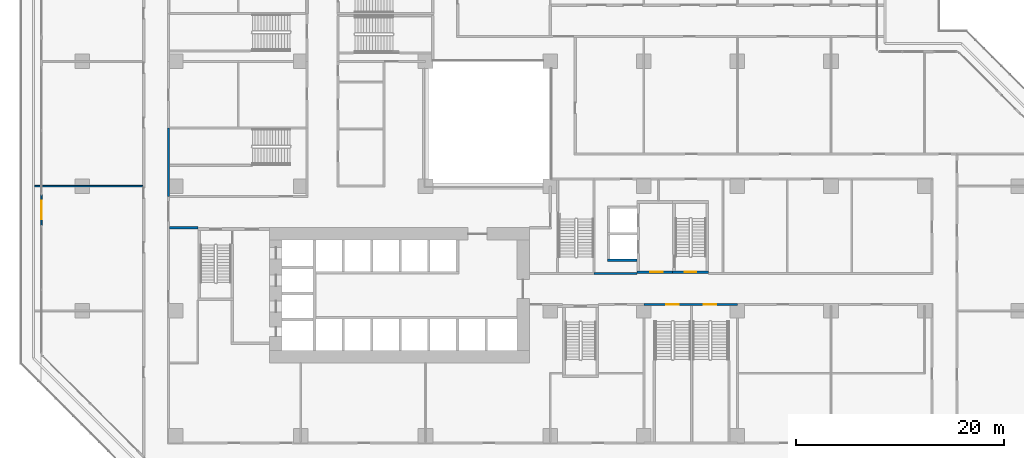
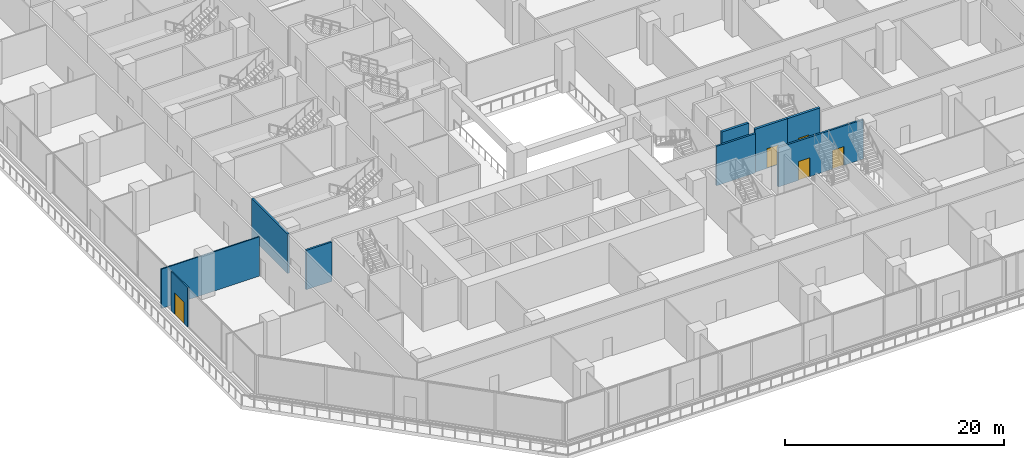
# One storey, part 16 of 31: 9 walls, 5 doors, 5 openings.
"""IFC4 building model written with IfcOpenShell, lengths in metres."""

import ifcopenshell
import ifcopenshell.guid

model = None  # the IFC model being written
_history = None  # IfcOwnerHistory: only IFC2X3 demands one
_inside = {}  # id of a spatial element -> (the spatial element, [elements in it])
_under = {}  # id of a project, library or spatial element -> (it, [spatial elements below it])
_declared = {}  # id of a project -> (the project, [libraries it declares])
_typed = {}  # id of a type object -> (the type object, [elements of that type])
_made_of = {}  # id of a material, layer set ... -> (it, [elements and type objects made of it])


def new_model(schema):
    """Start an empty IFC model of exactly this schema.

    Asked for "IFC4X3", IfcOpenShell would pick the latest addendum, in which some entities
    have other attributes; the version numbers below select the first issue.
    IFC2X3 requires an IfcOwnerHistory on every rooted entity: one is made here for all.
    """
    global model, _history
    if schema == "IFC4X3":
        model = ifcopenshell.file(schema_version=(4, 3, 0, 0))
    else:
        model = ifcopenshell.file(schema=schema)
    _inside.clear()
    _under.clear()
    _declared.clear()
    _typed.clear()
    _made_of.clear()
    _history = None
    if model.schema == "IFC2X3":
        org = make("IfcOrganization", Name="unknown")
        user = make(
            "IfcPersonAndOrganization",
            ThePerson=make("IfcPerson", FamilyName="unknown"),
            TheOrganization=org,
        )
        app = make(
            "IfcApplication",
            ApplicationDeveloper=org,
            Version="unknown",
            ApplicationFullName="unknown",
            ApplicationIdentifier="unknown",
        )
        _history = make(
            "IfcOwnerHistory",
            OwningUser=user,
            OwningApplication=app,
            ChangeAction="ADDED",
            CreationDate=0,
        )
    return model


def make(cls, **values):
    """One entity of the class cls with the attributes given. An attribute that is None is left unset."""
    return model.create_entity(
        cls, **{name: value for name, value in values.items() if value is not None}
    )


def rooted(cls, **values):
    """An entity with a GlobalId (a new one), such as an element, a storey or a relation."""
    return make(cls, GlobalId=ifcopenshell.guid.new(), OwnerHistory=_history, **values)


def si_unit(unit_type, name, prefix=None):
    """IfcSIUnit, for example si_unit("LENGTHUNIT", "METRE", prefix="MILLI")."""
    return make("IfcSIUnit", UnitType=unit_type, Prefix=prefix, Name=name)


def assignment(units):
    """IfcUnitAssignment: the units of a project."""
    return None if units is None else make("IfcUnitAssignment", Units=units)


def point(xyz):
    """IfcCartesianPoint."""
    return None if xyz is None else make("IfcCartesianPoint", Coordinates=xyz)


def direction(xyz):
    """IfcDirection."""
    return None if xyz is None else make("IfcDirection", DirectionRatios=xyz)


def frame(location, z_axis=None, x_axis=None):
    """IfcAxis2Placement3D, a coordinate frame: its origin and axes. An axis left out is left unset."""
    return make(
        "IfcAxis2Placement3D",
        Location=point(location),
        Axis=direction(z_axis),
        RefDirection=direction(x_axis),
    )


def frame_2d(location, x_axis=None):
    """IfcAxis2Placement2D, a coordinate frame in the plane: its origin and x axis."""
    return make(
        "IfcAxis2Placement2D", Location=point(location), RefDirection=direction(x_axis)
    )


def origin():
    """The frame at (0, 0, 0) with its axes left unset."""
    return frame((0.0, 0.0, 0.0))


def place(relative_to, where):
    """IfcLocalPlacement: puts the frame where relative to a parent placement (None: the world)."""
    return make(
        "IfcLocalPlacement", PlacementRelTo=relative_to, RelativePlacement=where
    )


def context(
    kind, dimensions, precision=None, world=None, true_north=None, identifier=None
):
    """IfcGeometricRepresentationContext, for example the 3D "Model" context."""
    return make(
        "IfcGeometricRepresentationContext",
        ContextIdentifier=identifier,
        ContextType=kind,
        CoordinateSpaceDimension=dimensions,
        Precision=precision,
        WorldCoordinateSystem=world,
        TrueNorth=true_north,
    )


def subcontext(parent, identifier, kind, view, scale=None):
    """IfcGeometricRepresentationSubContext, for example "Body" below "Model"."""
    return make(
        "IfcGeometricRepresentationSubContext",
        ContextIdentifier=identifier,
        ContextType=kind,
        ParentContext=parent,
        TargetScale=scale,
        TargetView=view,
    )


def project(units=None, contexts=None):
    """IfcProject with its units and contexts."""
    return rooted(
        "IfcProject",
        Name="project",
        RepresentationContexts=contexts,
        UnitsInContext=assignment(units),
    )


def spatial(cls, under=None, at=None, **own):
    """A site, building, storey or space (cls), placed at a placement, below another one or the project."""
    s = rooted(cls, ObjectPlacement=at, **own)
    if under is not None:
        _under.setdefault(under.id(), (under, []))[1].append(s)
    return s


def profile(cls, at=None, kind="AREA", **sizes):
    """A parametric profile (cls). Its sizes go by their IFC names, for example OverallWidth=200.0."""
    return make(cls, ProfileType=kind, Position=at, **sizes)


def rectangle(**sizes):
    """IfcRectangleProfileDef."""
    return profile("IfcRectangleProfileDef", **sizes)


def extrude(swept, where, along, depth):
    """IfcExtrudedAreaSolid: the profile swept, set in the frame where, extruded along a direction by depth."""
    return make(
        "IfcExtrudedAreaSolid",
        SweptArea=swept,
        Position=where,
        ExtrudedDirection=direction(along),
        Depth=depth,
    )


def shape(context_of_items, identifier, shape_type, items):
    """IfcShapeRepresentation: the items that make up one representation, for example the "Body"."""
    return make(
        "IfcShapeRepresentation",
        ContextOfItems=context_of_items,
        RepresentationIdentifier=identifier,
        RepresentationType=shape_type,
        Items=items,
    )


def material(Name=None, Category=None):
    """IfcMaterial."""
    return make("IfcMaterial", Name=Name, Category=Category)


def layer(
    of_material, thickness, ventilated=None, Name=None, Category=None, Priority=None
):
    """IfcMaterialLayer: one layer of a wall or slab, of a material (None: an air gap)."""
    return make(
        "IfcMaterialLayer",
        Material=of_material,
        LayerThickness=thickness,
        IsVentilated=ventilated,
        Name=Name,
        Category=Category,
        Priority=Priority,
    )


def layer_set(layers, Name=None):
    """IfcMaterialLayerSet."""
    return make("IfcMaterialLayerSet", MaterialLayers=layers, LayerSetName=Name)


def made_of(thing, what):
    """Note that an element or type object is made of a material, layer set ...; save() writes the relation."""
    if what is not None:
        _made_of.setdefault(what.id(), (what, []))[1].append(thing)
    return thing


def type_object(cls, material=None, **own):
    """A type object (cls), such as IfcWallType, which elements share."""
    return made_of(rooted(cls, **own), material)


def element(
    cls,
    number,
    at=None,
    inside=None,
    cuts=None,
    type_object=None,
    material=None,
    context=None,
    identifier="Body",
    shape_type=None,
    held_by="IfcProductDefinitionShape",
    body=None,
    shapes=None,
    **own,
):
    """One element of the class cls, such as IfcWall. Its Tag is "e" and its number.

    at: its placement. inside: the storey or other place that contains it. cuts: it is an
    opening in that element (IfcRelVoidsElement). A single representation is given by context,
    identifier, shape_type and body (its items); several are given by shapes. held_by: the class
    of the entity that holds the representations. save() writes the other relations.
    """
    e = rooted(cls, Tag="e%d" % number, ObjectPlacement=at, **own)
    if body is not None:
        shapes = [shape(context, identifier, shape_type, body)]
    if shapes is not None:
        e.Representation = make(held_by, Representations=shapes)
    if inside is not None:
        _inside.setdefault(inside.id(), (inside, []))[1].append(e)
    if cuts is not None:
        rooted(
            "IfcRelVoidsElement", RelatingBuildingElement=cuts, RelatedOpeningElement=e
        )
    if type_object is not None:
        _typed.setdefault(type_object.id(), (type_object, []))[1].append(e)
    return made_of(e, material)


def fill(opening, filler):
    """IfcRelFillsElement: the door or window that sits in an opening."""
    return rooted(
        "IfcRelFillsElement",
        RelatingOpeningElement=opening,
        RelatedBuildingElement=filler,
    )


def aggregate(whole, parts):
    """IfcRelAggregates: a whole, such as a stair, and the parts it consists of."""
    return rooted("IfcRelAggregates", RelatingObject=whole, RelatedObjects=parts)


def save(model, path):
    """Write the relations noted so far, then the file.

    IfcRelAggregates (storeys below a building ...), IfcRelContainedInSpatialStructure (elements
    in a storey), IfcRelDefinesByType, IfcRelAssociatesMaterial and IfcRelDeclares: one each for
    every whole, place, type object, material and project.
    """
    for whole, parts in _under.values():
        aggregate(whole, parts)
    for where, things in _inside.values():
        rooted(
            "IfcRelContainedInSpatialStructure",
            RelatedElements=things,
            RelatingStructure=where,
        )
    for kind, things in _typed.values():
        rooted("IfcRelDefinesByType", RelatedObjects=things, RelatingType=kind)
    for what, things in _made_of.values():
        rooted("IfcRelAssociatesMaterial", RelatedObjects=things, RelatingMaterial=what)
    for by, libraries in _declared.values():
        rooted("IfcRelDeclares", RelatingContext=by, RelatedDefinitions=libraries)
    model.write(path)


model = new_model("IFC4")

# Units and contexts
model_context = context("Model", 3, precision=1e-05, world=origin(), true_north=direction((0.0, 1.0)))
body_context = subcontext(model_context, "Body", "Model", "MODEL_VIEW")
ifc_project = project(units=[si_unit("LENGTHUNIT", "METRE"), si_unit("AREAUNIT", "SQUARE_METRE"), si_unit("VOLUMEUNIT", "CUBIC_METRE"), si_unit("PLANEANGLEUNIT", "RADIAN"), si_unit("MASSUNIT", "GRAM", prefix="KILO")], contexts=[model_context])

# Site, building, storey
site_placement = place(None, origin())
site = spatial("IfcSite", under=ifc_project, at=site_placement, CompositionType="ELEMENT")
building_placement = place(site_placement, origin())
building = spatial("IfcBuilding", under=site, at=building_placement, Name="Chenar Terraces", CompositionType="ELEMENT")
storey_placement = place(building_placement, frame((0.0, 0.0, 7.199951171875)))
storey = spatial("IfcBuildingStorey", under=building, at=storey_placement, Name="L01", CompositionType="ELEMENT", Elevation=7.199951171875)

# Wall
ifc_material_1 = material(Name="Gypsum board on steel studs with mineral wool", Category="steel")
ifc_layer_1 = layer(ifc_material_1, 0.125)
ifc_layer_set_1 = layer_set([ifc_layer_1], Name="Gypsum board on steel studs with mineral wool")
wall_type_1 = type_object("IfcWallType", Name="Acoustic partition 125", PredefinedType="PARTITIONING", material=ifc_layer_set_1)
wall_1_placement = place(storey_placement, frame((-13.60009765625, 24.0, 0.0), z_axis=(0.0, 0.0, 1.0), x_axis=(1.0, 0.0, 0.0)))
element("IfcWall", 1, at=wall_1_placement, inside=storey, type_object=wall_type_1, Name="Partition L01-002", PredefinedType="PARTITIONING", context=body_context, shape_type="SweptSolid", body=[
    extrude(rectangle(XDim=10.400146484375, YDim=0.125, at=frame_2d((5.2001953125, 0.0))), origin(), (0.0, 0.0, 1.0), 4.400146484375),
])

# Wall, opening, door
ifc_material_2 = material(Name="Concrete C70/85", Category="concrete")
ifc_layer_2 = layer(ifc_material_2, 0.25)
ifc_layer_set_2 = layer_set([ifc_layer_2], Name="Concrete C70/85")
wall_type_2 = type_object("IfcWallType", Name="Core wall 250 Concrete C70/85", PredefinedType="SHEAR", material=ifc_layer_set_2)
wall_2_placement = place(storey_placement, frame((47.77490234375, 15.72509765625, 0.0), z_axis=(0.0, 0.0, 1.0), x_axis=(1.0, 0.0, 0.0)))
wall_2 = element("IfcWall", 2, at=wall_2_placement, inside=storey, type_object=wall_type_2, Name="Core wall ST3_S L01", PredefinedType="SHEAR", context=body_context, shape_type="SweptSolid", body=[
    extrude(rectangle(XDim=3.4501953125, YDim=0.25, at=frame_2d((1.72509765625, 0.0))), origin(), (0.0, 0.0, 1.0), 4.800048828125),
])
opening_1_placement = place(wall_2_placement, frame((1.175048828125, 0.0, 0.0)))
opening_1 = element("IfcOpeningElement", 3, at=opening_1_placement, cuts=wall_2, Name="Opening DL01-C8", PredefinedType="OPENING", context=body_context, shape_type="SweptSolid", body=[
    extrude(rectangle(XDim=1.10009765625, YDim=2.199951171875, at=frame_2d((0.550048828125, 1.10009765625))), frame((0.0, 0.135009765625, 0.0), z_axis=(0.0, -1.0, 0.0), x_axis=(1.0, 0.0, 0.0)), (0.0, 0.0, 1.0), 0.27001953125),
])
ifc_material_3 = material(Name="Steel-framed fire-resisting door leaf", Category="steel")
door_type_1 = type_object("IfcDoorType", Name="Stair fire door FD60 1100 x 2200", OperationType="SINGLE_SWING_LEFT", PredefinedType="DOOR", material=ifc_material_3)
door_1_placement = place(opening_1_placement, frame((1.10009765625, 0.0, 0.0), z_axis=(0.0, 0.0, 1.0), x_axis=(-1.0, 0.0, 0.0)))
door_1 = element("IfcDoor", 4, at=door_1_placement, inside=storey, type_object=door_type_1, Name="Stair door DL01-C8", OperationType="SINGLE_SWING_LEFT", OverallHeight=2.199951171875, OverallWidth=1.10009765625, PredefinedType="DOOR", context=body_context, shape_type="SweptSolid", body=[
    extrude(rectangle(XDim=1.10009765625, YDim=2.199951171875, at=frame_2d((0.550048828125, 1.10009765625))), frame((0.0, 0.02490234375, 0.0), z_axis=(0.0, -1.0, 0.0), x_axis=(1.0, 0.0, 0.0)), (0.0, 0.0, 1.0), 0.050048828125),
])
fill(opening_1, door_1)

wall_3_placement = place(storey_placement, frame((44.35009765625, 15.72509765625, 0.0), z_axis=(0.0, 0.0, 1.0), x_axis=(1.0, 0.0, 0.0)))
wall_3 = element("IfcWall", 5, at=wall_3_placement, inside=storey, type_object=wall_type_2, Name="Core wall F3_LS L01", PredefinedType="SHEAR", context=body_context, shape_type="SweptSolid", body=[
    extrude(rectangle(XDim=3.4248046875, YDim=0.25, at=frame_2d((1.71240234375, 0.0))), origin(), (0.0, 0.0, 1.0), 4.800048828125),
])
opening_2_placement = place(wall_3_placement, frame((1.25, 0.0, 0.0)))
opening_2 = element("IfcOpeningElement", 6, at=opening_2_placement, cuts=wall_3, Name="Opening DL01-C10", PredefinedType="OPENING", context=body_context, shape_type="SweptSolid", body=[
    extrude(rectangle(XDim=1.199951171875, YDim=2.199951171875, at=frame_2d((0.60009765625, 1.10009765625))), frame((0.0, 0.135009765625, 0.0), z_axis=(0.0, -1.0, 0.0), x_axis=(1.0, 0.0, 0.0)), (0.0, 0.0, 1.0), 0.27001953125),
])
ifc_material_4 = material(Name="Steel-framed fire-resisting door leaf", Category="steel")
door_type_2 = type_object("IfcDoorType", Name="Lobby fire door FD60 1200 x 2200", OperationType="SINGLE_SWING_LEFT", PredefinedType="DOOR", material=ifc_material_4)
door_2_placement = place(opening_2_placement, origin())
door_2 = element("IfcDoor", 7, at=door_2_placement, inside=storey, type_object=door_type_2, Name="Core door DL01-C10", OperationType="SINGLE_SWING_RIGHT", OverallHeight=2.199951171875, OverallWidth=1.199951171875, PredefinedType="DOOR", context=body_context, shape_type="SweptSolid", body=[
    extrude(rectangle(XDim=1.199951171875, YDim=2.199951171875, at=frame_2d((0.60009765625, 1.10009765625))), frame((0.0, 0.02490234375, 0.0), z_axis=(0.0, -1.0, 0.0), x_axis=(1.0, 0.0, 0.0)), (0.0, 0.0, 1.0), 0.050048828125),
])
fill(opening_2, door_2)

# Walls
wall_4_placement = place(storey_placement, frame((41.5, 16.875, 0.0), z_axis=(0.0, 0.0, 1.0), x_axis=(1.0, 0.0, 0.0)))
element("IfcWall", 8, at=wall_4_placement, inside=storey, type_object=wall_type_2, Name="Core wall F3_SS L01", PredefinedType="SHEAR", context=body_context, shape_type="SweptSolid", body=[
    extrude(rectangle(XDim=2.85009765625, YDim=0.25, at=frame_2d((1.425048828125, 0.0))), origin(), (0.0, 0.0, 1.0), 4.800048828125),
])
ifc_material_5 = material(Name="Gypsum board on steel studs with fire boards", Category="steel")
ifc_layer_3 = layer(ifc_material_5, 0.199951171875)
ifc_layer_set_3 = layer_set([ifc_layer_3], Name="Gypsum board on steel studs with fire boards")
wall_type_3 = type_object("IfcWallType", Name="Corridor wall 200", PredefinedType="PARTITIONING", material=ifc_layer_set_3)
wall_5_placement = place(storey_placement, frame((-0.60009765625, 20.0, 0.0), z_axis=(0.0, 0.0, 1.0), x_axis=(1.0, 0.0, 0.0)))
element("IfcWall", 9, at=wall_5_placement, inside=storey, type_object=wall_type_3, Name="Partition L01-023", PredefinedType="PARTITIONING", context=body_context, shape_type="SweptSolid", body=[
    extrude(rectangle(XDim=2.7001953125, YDim=0.199951171875, at=frame_2d((1.35009765625, 0.0))), origin(), (0.0, 0.0, 1.0), 4.400146484375),
])
wall_6_placement = place(storey_placement, frame((40.199951171875, 15.60009765625, 0.0), z_axis=(0.0, 0.0, 1.0), x_axis=(1.0, 0.0, 0.0)))
element("IfcWall", 10, at=wall_6_placement, inside=storey, type_object=wall_type_3, Name="Partition L01-089", PredefinedType="PARTITIONING", context=body_context, shape_type="SweptSolid", body=[
    extrude(rectangle(XDim=4.150146484375, YDim=0.199951171875, at=frame_2d((2.0751953125, 0.0))), origin(), (0.0, 0.0, 1.0), 4.400146484375),
])

# Wall, opening, door
ifc_material_6 = material(Name="Aluminium framed glazing", Category="aluminium")
ifc_layer_4 = layer(ifc_material_6, 0.14990234375)
ifc_layer_set_4 = layer_set([ifc_layer_4], Name="Aluminium framed glazing")
wall_type_4 = type_object("IfcWallType", Name="Podium glazed wall 150", PredefinedType="SOLIDWALL", material=ifc_layer_set_4)
wall_7_placement = place(storey_placement, frame((-12.925048828125, 23.193359375, 0.0), z_axis=(0.0, 0.0, 1.0), x_axis=(0.0, -1.0, 0.0)))
wall_7 = element("IfcWall", 11, at=wall_7_placement, inside=storey, type_object=wall_type_4, Name="Podium glazed wall", PredefinedType="SOLIDWALL", context=body_context, shape_type="SweptSolid", body=[
    extrude(rectangle(XDim=3.0, YDim=0.14990234375, at=frame_2d((1.5, 0.0))), origin(), (0.0, 0.0, 1.0), 4.400146484375),
])
opening_3_placement = place(wall_7_placement, frame((0.60009765625, 0.0, 0.0)))
opening_3 = element("IfcOpeningElement", 12, at=opening_3_placement, cuts=wall_7, Name="Opening DL01-T3", PredefinedType="OPENING", context=body_context, shape_type="SweptSolid", body=[
    extrude(rectangle(XDim=1.800048828125, YDim=2.39990234375, at=frame_2d((0.89990234375, 1.199951171875))), frame((0.0, 0.0849609375, 0.0), z_axis=(0.0, -1.0, 0.0), x_axis=(1.0, 0.0, 0.0)), (0.0, 0.0, 1.0), 0.169921875),
])
ifc_material_7 = material(Name="Low emissivity double glazing, aluminium frame", Category="aluminium")
door_type_3 = type_object("IfcDoorType", Name="Terrace glazed double door 1800 x 2400", OperationType="DOUBLE_DOOR_SINGLE_SWING", PredefinedType="DOOR", material=ifc_material_7)
door_3_placement = place(opening_3_placement, frame((1.800048828125, 0.0, 0.0), z_axis=(0.0, 0.0, 1.0), x_axis=(-1.0, 0.0, 0.0)))
door_3 = element("IfcDoor", 13, at=door_3_placement, inside=storey, type_object=door_type_3, Name="Terrace glazed door", OperationType="DOUBLE_DOOR_SINGLE_SWING", OverallHeight=2.39990234375, OverallWidth=1.800048828125, PredefinedType="DOOR", context=body_context, shape_type="SweptSolid", body=[
    extrude(rectangle(XDim=1.800048828125, YDim=2.39990234375, at=frame_2d((0.89990234375, 1.199951171875))), frame((0.0, 0.02490234375, 0.0), z_axis=(0.0, -1.0, 0.0), x_axis=(1.0, 0.0, 0.0)), (0.0, 0.0, 1.0), 0.050048828125),
])
fill(opening_3, door_3)

# Wall
ifc_material_8 = material(Name="Reinforced concrete C40/50", Category="concrete")
ifc_layer_5 = layer(ifc_material_8, 0.199951171875)
ifc_layer_set_5 = layer_set([ifc_layer_5], Name="Reinforced concrete C40/50")
wall_type_5 = type_object("IfcWallType", Name="Stair enclosure wall 200 concrete", PredefinedType="SOLIDWALL", material=ifc_layer_set_5)
wall_8_placement = place(storey_placement, frame((-0.699951171875, 23.0, 0.0), z_axis=(0.0, 0.0, 1.0), x_axis=(0.0, 1.0, 0.0)))
element("IfcWall", 14, at=wall_8_placement, inside=storey, type_object=wall_type_5, Name="Stair enclosure wall L01-014", PredefinedType="SOLIDWALL", context=body_context, shape_type="SweptSolid", body=[
    extrude(rectangle(XDim=6.60009765625, YDim=0.199951171875, at=frame_2d((3.300048828125, 0.0))), origin(), (0.0, 0.0, 1.0), 4.400146484375),
])

# Wall, openings, doors
wall_9_placement = place(storey_placement, frame((45.0, 12.60009765625, 0.0), z_axis=(0.0, 0.0, 1.0), x_axis=(1.0, 0.0, 0.0)))
wall_9 = element("IfcWall", 15, at=wall_9_placement, inside=storey, type_object=wall_type_5, Name="Stair enclosure wall L01-097", PredefinedType="SOLIDWALL", context=body_context, shape_type="SweptSolid", body=[
    extrude(rectangle(XDim=9.0, YDim=0.199951171875, at=frame_2d((4.5, 0.0))), origin(), (0.0, 0.0, 1.0), 4.400146484375),
])
opening_4_placement = place(wall_9_placement, frame((5.75, 0.0, 0.0)))
opening_4 = element("IfcOpeningElement", 16, at=opening_4_placement, cuts=wall_9, Name="Opening DL01-81", PredefinedType="OPENING", context=body_context, shape_type="SweptSolid", body=[
    extrude(rectangle(XDim=1.199951171875, YDim=2.10009765625, at=frame_2d((0.60009765625, 1.050048828125))), frame((0.0, 0.10986328125, 0.0), z_axis=(0.0, -1.0, 0.0), x_axis=(1.0, 0.0, 0.0)), (0.0, 0.0, 1.0), 0.219970703125),
])
opening_5_placement = place(wall_9_placement, frame((2.14990234375, 0.0, 0.0)))
opening_5 = element("IfcOpeningElement", 17, at=opening_5_placement, cuts=wall_9, Name="Opening DL01-85", PredefinedType="OPENING", context=body_context, shape_type="SweptSolid", body=[
    extrude(rectangle(XDim=1.199951171875, YDim=2.10009765625, at=frame_2d((0.60009765625, 1.050048828125))), frame((0.0, 0.10986328125, 0.0), z_axis=(0.0, -1.0, 0.0), x_axis=(1.0, 0.0, 0.0)), (0.0, 0.0, 1.0), 0.219970703125),
])
ifc_material_9 = material(Name="Steel-framed fire-resisting door leaf", Category="steel")
door_type_4 = type_object("IfcDoorType", Name="Fire door FD120 1200 x 2100", OperationType="SINGLE_SWING_LEFT", PredefinedType="DOOR", material=ifc_material_9)
door_4_placement = place(opening_4_placement, frame((1.199951171875, 0.0, 0.0), z_axis=(0.0, 0.0, 1.0), x_axis=(-1.0, 0.0, 0.0)))
door_4 = element("IfcDoor", 18, at=door_4_placement, inside=storey, type_object=door_type_4, Name="Door DL01-81", OperationType="SINGLE_SWING_RIGHT", OverallHeight=2.10009765625, OverallWidth=1.199951171875, PredefinedType="DOOR", context=body_context, shape_type="SweptSolid", body=[
    extrude(rectangle(XDim=1.199951171875, YDim=2.10009765625, at=frame_2d((0.60009765625, 1.050048828125))), frame((0.0, 0.02490234375, 0.0), z_axis=(0.0, -1.0, 0.0), x_axis=(1.0, 0.0, 0.0)), (0.0, 0.0, 1.0), 0.050048828125),
])
fill(opening_4, door_4)
door_5_placement = place(opening_5_placement, frame((1.199951171875, 0.0, 0.0), z_axis=(0.0, 0.0, 1.0), x_axis=(-1.0, 0.0, 0.0)))
door_5 = element("IfcDoor", 19, at=door_5_placement, inside=storey, type_object=door_type_4, Name="Door DL01-85", OperationType="SINGLE_SWING_LEFT", OverallHeight=2.10009765625, OverallWidth=1.199951171875, PredefinedType="DOOR", context=body_context, shape_type="SweptSolid", body=[
    extrude(rectangle(XDim=1.199951171875, YDim=2.10009765625, at=frame_2d((0.60009765625, 1.050048828125))), frame((0.0, 0.02490234375, 0.0), z_axis=(0.0, -1.0, 0.0), x_axis=(1.0, 0.0, 0.0)), (0.0, 0.0, 1.0), 0.050048828125),
])
fill(opening_5, door_5)

save(model, "model.ifc")
